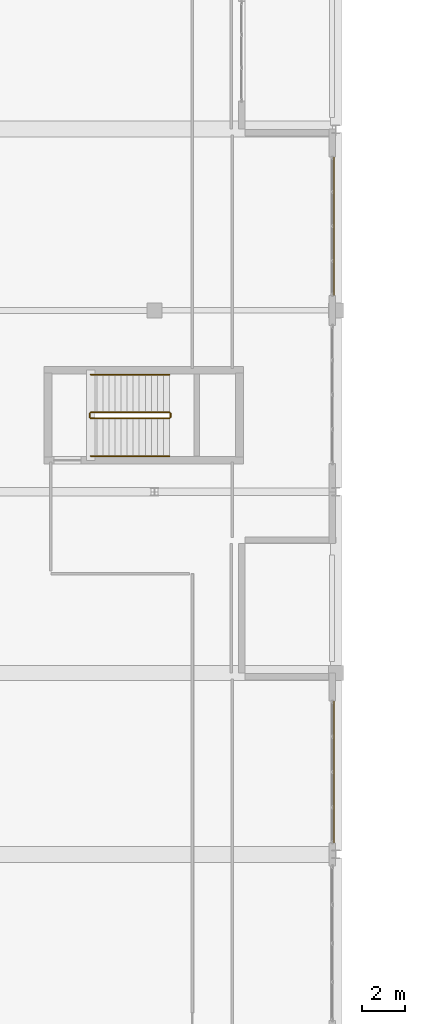
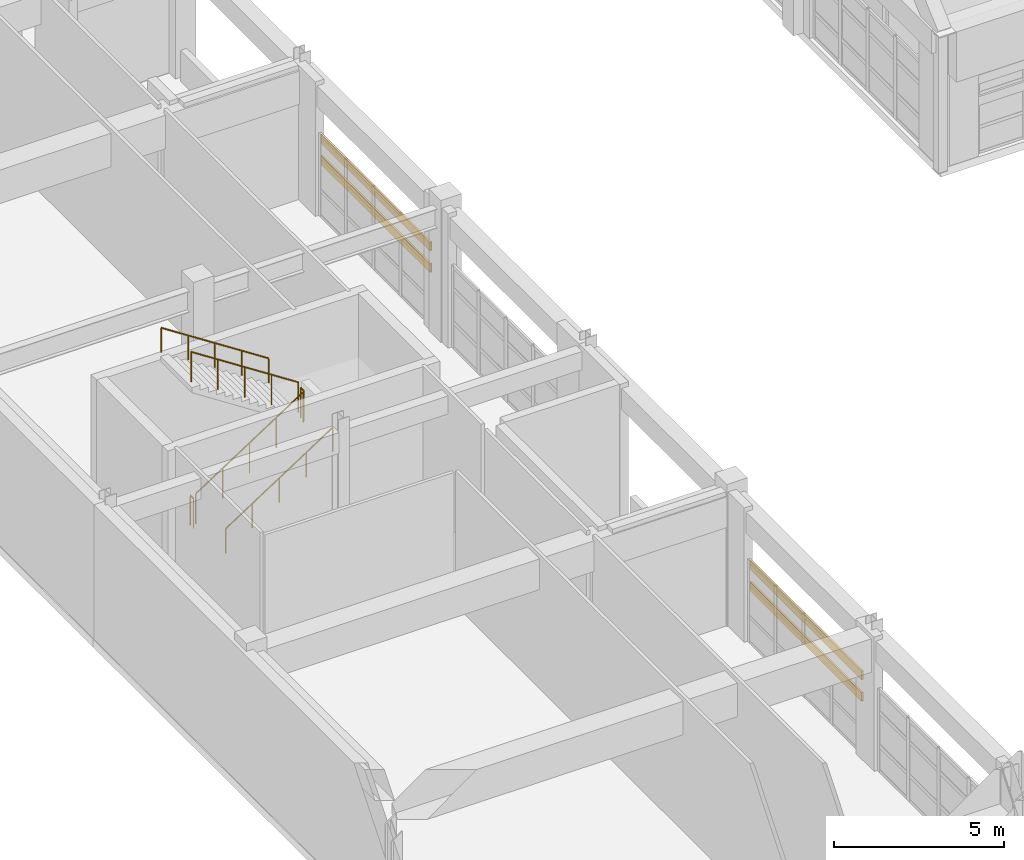
# One storey, part 95 of 103: 6 railings, 4 shading devices.
"""IFC4 building model written with IfcOpenShell, lengths in metres."""

import ifcopenshell
import ifcopenshell.guid

model = None  # the IFC model being written
_history = None  # IfcOwnerHistory: only IFC2X3 demands one
_inside = {}  # id of a spatial element -> (the spatial element, [elements in it])
_under = {}  # id of a project, library or spatial element -> (it, [spatial elements below it])
_declared = {}  # id of a project -> (the project, [libraries it declares])
_typed = {}  # id of a type object -> (the type object, [elements of that type])
_made_of = {}  # id of a material, layer set ... -> (it, [elements and type objects made of it])


def new_model(schema):
    """Start an empty IFC model of exactly this schema.

    Asked for "IFC4X3", IfcOpenShell would pick the latest addendum, in which some entities
    have other attributes; the version numbers below select the first issue.
    IFC2X3 requires an IfcOwnerHistory on every rooted entity: one is made here for all.
    """
    global model, _history
    if schema == "IFC4X3":
        model = ifcopenshell.file(schema_version=(4, 3, 0, 0))
    else:
        model = ifcopenshell.file(schema=schema)
    _inside.clear()
    _under.clear()
    _declared.clear()
    _typed.clear()
    _made_of.clear()
    _history = None
    if model.schema == "IFC2X3":
        org = make("IfcOrganization", Name="unknown")
        user = make(
            "IfcPersonAndOrganization",
            ThePerson=make("IfcPerson", FamilyName="unknown"),
            TheOrganization=org,
        )
        app = make(
            "IfcApplication",
            ApplicationDeveloper=org,
            Version="unknown",
            ApplicationFullName="unknown",
            ApplicationIdentifier="unknown",
        )
        _history = make(
            "IfcOwnerHistory",
            OwningUser=user,
            OwningApplication=app,
            ChangeAction="ADDED",
            CreationDate=0,
        )
    return model


def make(cls, **values):
    """One entity of the class cls with the attributes given. An attribute that is None is left unset."""
    return model.create_entity(
        cls, **{name: value for name, value in values.items() if value is not None}
    )


def rooted(cls, **values):
    """An entity with a GlobalId (a new one), such as an element, a storey or a relation."""
    return make(cls, GlobalId=ifcopenshell.guid.new(), OwnerHistory=_history, **values)


def si_unit(unit_type, name, prefix=None):
    """IfcSIUnit, for example si_unit("LENGTHUNIT", "METRE", prefix="MILLI")."""
    return make("IfcSIUnit", UnitType=unit_type, Prefix=prefix, Name=name)


def assignment(units):
    """IfcUnitAssignment: the units of a project."""
    return None if units is None else make("IfcUnitAssignment", Units=units)


def point(xyz):
    """IfcCartesianPoint."""
    return None if xyz is None else make("IfcCartesianPoint", Coordinates=xyz)


def direction(xyz):
    """IfcDirection."""
    return None if xyz is None else make("IfcDirection", DirectionRatios=xyz)


def frame(location, z_axis=None, x_axis=None):
    """IfcAxis2Placement3D, a coordinate frame: its origin and axes. An axis left out is left unset."""
    return make(
        "IfcAxis2Placement3D",
        Location=point(location),
        Axis=direction(z_axis),
        RefDirection=direction(x_axis),
    )


def frame_2d(location, x_axis=None):
    """IfcAxis2Placement2D, a coordinate frame in the plane: its origin and x axis."""
    return make(
        "IfcAxis2Placement2D", Location=point(location), RefDirection=direction(x_axis)
    )


def origin():
    """The frame at (0, 0, 0) with its axes left unset."""
    return frame((0.0, 0.0, 0.0))


def origin_2d():
    """The frame at (0, 0) in the plane with its x axis left unset."""
    return frame_2d((0.0, 0.0))


def place(relative_to, where):
    """IfcLocalPlacement: puts the frame where relative to a parent placement (None: the world)."""
    return make(
        "IfcLocalPlacement", PlacementRelTo=relative_to, RelativePlacement=where
    )


def context(
    kind, dimensions, precision=None, world=None, true_north=None, identifier=None
):
    """IfcGeometricRepresentationContext, for example the 3D "Model" context."""
    return make(
        "IfcGeometricRepresentationContext",
        ContextIdentifier=identifier,
        ContextType=kind,
        CoordinateSpaceDimension=dimensions,
        Precision=precision,
        WorldCoordinateSystem=world,
        TrueNorth=true_north,
    )


def subcontext(parent, identifier, kind, view, scale=None):
    """IfcGeometricRepresentationSubContext, for example "Body" below "Model"."""
    return make(
        "IfcGeometricRepresentationSubContext",
        ContextIdentifier=identifier,
        ContextType=kind,
        ParentContext=parent,
        TargetScale=scale,
        TargetView=view,
    )


def project(units=None, contexts=None):
    """IfcProject with its units and contexts."""
    return rooted(
        "IfcProject",
        Name="project",
        RepresentationContexts=contexts,
        UnitsInContext=assignment(units),
    )


def spatial(cls, under=None, at=None, **own):
    """A site, building, storey or space (cls), placed at a placement, below another one or the project."""
    s = rooted(cls, ObjectPlacement=at, **own)
    if under is not None:
        _under.setdefault(under.id(), (under, []))[1].append(s)
    return s


def profile(cls, at=None, kind="AREA", **sizes):
    """A parametric profile (cls). Its sizes go by their IFC names, for example OverallWidth=200.0."""
    return make(cls, ProfileType=kind, Position=at, **sizes)


def hollow_rectangle(**sizes):
    """IfcRectangleHollowProfileDef."""
    return profile("IfcRectangleHollowProfileDef", **sizes)


def circle(**sizes):
    """IfcCircleProfileDef."""
    return profile("IfcCircleProfileDef", **sizes)


def extrude(swept, where, along, depth):
    """IfcExtrudedAreaSolid: the profile swept, set in the frame where, extruded along a direction by depth."""
    return make(
        "IfcExtrudedAreaSolid",
        SweptArea=swept,
        Position=where,
        ExtrudedDirection=direction(along),
        Depth=depth,
    )


def shape(context_of_items, identifier, shape_type, items):
    """IfcShapeRepresentation: the items that make up one representation, for example the "Body"."""
    return make(
        "IfcShapeRepresentation",
        ContextOfItems=context_of_items,
        RepresentationIdentifier=identifier,
        RepresentationType=shape_type,
        Items=items,
    )


def material(Name=None, Category=None):
    """IfcMaterial."""
    return make("IfcMaterial", Name=Name, Category=Category)


def material_profile(
    of_material, cross_section, Name=None, Category=None, Priority=None
):
    """IfcMaterialProfile: a cross section and its material."""
    return make(
        "IfcMaterialProfile",
        Name=Name,
        Material=of_material,
        Profile=cross_section,
        Priority=Priority,
        Category=Category,
    )


def profile_set(profiles, Name=None, composite=None):
    """IfcMaterialProfileSet."""
    return make(
        "IfcMaterialProfileSet",
        Name=Name,
        MaterialProfiles=profiles,
        CompositeProfile=composite,
    )


def made_of(thing, what):
    """Note that an element or type object is made of a material, layer set ...; save() writes the relation."""
    if what is not None:
        _made_of.setdefault(what.id(), (what, []))[1].append(thing)
    return thing


def type_object(cls, material=None, **own):
    """A type object (cls), such as IfcWallType, which elements share."""
    return made_of(rooted(cls, **own), material)


def element(
    cls,
    number,
    at=None,
    inside=None,
    cuts=None,
    type_object=None,
    material=None,
    context=None,
    identifier="Body",
    shape_type=None,
    held_by="IfcProductDefinitionShape",
    body=None,
    shapes=None,
    **own,
):
    """One element of the class cls, such as IfcWall. Its Tag is "e" and its number.

    at: its placement. inside: the storey or other place that contains it. cuts: it is an
    opening in that element (IfcRelVoidsElement). A single representation is given by context,
    identifier, shape_type and body (its items); several are given by shapes. held_by: the class
    of the entity that holds the representations. save() writes the other relations.
    """
    e = rooted(cls, Tag="e%d" % number, ObjectPlacement=at, **own)
    if body is not None:
        shapes = [shape(context, identifier, shape_type, body)]
    if shapes is not None:
        e.Representation = make(held_by, Representations=shapes)
    if inside is not None:
        _inside.setdefault(inside.id(), (inside, []))[1].append(e)
    if cuts is not None:
        rooted(
            "IfcRelVoidsElement", RelatingBuildingElement=cuts, RelatedOpeningElement=e
        )
    if type_object is not None:
        _typed.setdefault(type_object.id(), (type_object, []))[1].append(e)
    return made_of(e, material)


def aggregate(whole, parts):
    """IfcRelAggregates: a whole, such as a stair, and the parts it consists of."""
    return rooted("IfcRelAggregates", RelatingObject=whole, RelatedObjects=parts)


def save(model, path):
    """Write the relations noted so far, then the file.

    IfcRelAggregates (storeys below a building ...), IfcRelContainedInSpatialStructure (elements
    in a storey), IfcRelDefinesByType, IfcRelAssociatesMaterial and IfcRelDeclares: one each for
    every whole, place, type object, material and project.
    """
    for whole, parts in _under.values():
        aggregate(whole, parts)
    for where, things in _inside.values():
        rooted(
            "IfcRelContainedInSpatialStructure",
            RelatedElements=things,
            RelatingStructure=where,
        )
    for kind, things in _typed.values():
        rooted("IfcRelDefinesByType", RelatedObjects=things, RelatingType=kind)
    for what, things in _made_of.values():
        rooted("IfcRelAssociatesMaterial", RelatedObjects=things, RelatingMaterial=what)
    for by, libraries in _declared.values():
        rooted("IfcRelDeclares", RelatingContext=by, RelatedDefinitions=libraries)
    model.write(path)


model = new_model("IFC4")

# Units and contexts
model_context = context("Model", 3, precision=1e-05, world=origin(), true_north=direction((0.0, 1.0)))
body_context = subcontext(model_context, "Body", "Model", "MODEL_VIEW")
ifc_project = project(units=[si_unit("LENGTHUNIT", "METRE"), si_unit("AREAUNIT", "SQUARE_METRE"), si_unit("VOLUMEUNIT", "CUBIC_METRE"), si_unit("PLANEANGLEUNIT", "RADIAN"), si_unit("MASSUNIT", "GRAM", prefix="KILO")], contexts=[model_context])

# Site, building, storey
site_placement = place(None, origin())
site = spatial("IfcSite", under=ifc_project, at=site_placement, CompositionType="ELEMENT")
building_placement = place(site_placement, origin())
building = spatial("IfcBuilding", under=site, at=building_placement, Name="Quendrovan Civic Courthouse", CompositionType="ELEMENT")
storey_placement = place(building_placement, frame((0.0, 0.0, 15.300048828125)))
storey = spatial("IfcBuildingStorey", under=building, at=storey_placement, Name="L04", CompositionType="ELEMENT", Elevation=15.300048828125)

# Railings
ifc_material_1 = material(Name="Painted galvanized steel", Category="steel")
railing_type_1 = type_object("IfcRailingType", Name="RL-STR-GUARD1100", PredefinedType="GUARDRAIL", material=ifc_material_1)
railing_1_placement = place(storey_placement, frame((5.449951171875, 59.800048828125, 0.18212890625)))
element("IfcRailing", 1, at=railing_1_placement, inside=storey, type_object=railing_type_1, Name="L04 ST4 stair guard 1", PredefinedType="GUARDRAIL", context=body_context, shape_type="SweptSolid", body=[
    extrude(circle(Radius=0.02392578125, at=origin_2d()), frame((0.0, 0.0, 1.076171875), z_axis=(0.83825089185, 0.0, 0.545284735081), x_axis=(0.0, 1.0, 0.0)), (0.0, 0.0, 1.0), 4.342529296875),
    extrude(circle(Radius=0.02099609375, at=origin_2d()), origin(), (0.0, 0.0, 1.0), 1.052001953125),
    extrude(circle(Radius=0.02099609375, at=origin_2d()), frame((0.91015625, 0.0, 0.592041015625)), (0.0, 0.0, 1.0), 1.052001953125),
    extrude(circle(Radius=0.02099609375, at=origin_2d()), frame((1.820068359375, 0.0, 1.18408203125)), (0.0, 0.0, 1.0), 1.052001953125),
    extrude(circle(Radius=0.02099609375, at=origin_2d()), frame((2.72998046875, 0.0, 1.77587890625)), (0.0, 0.0, 1.0), 1.052001953125),
    extrude(circle(Radius=0.02099609375, at=origin_2d()), frame((3.64013671875, 0.0, 2.367919921875)), (0.0, 0.0, 1.0), 1.052001953125),
])
railing_2_placement = place(storey_placement, frame((9.139892578125, 59.85009765625, 2.550048828125)))
element("IfcRailing", 2, at=railing_2_placement, inside=storey, type_object=railing_type_1, Name="L04 ST4 stair guard 2", PredefinedType="GUARDRAIL", context=body_context, shape_type="SweptSolid", body=[
    extrude(circle(Radius=0.02392578125, at=origin_2d()), frame((0.0, 0.0, 1.076171875), z_axis=(0.0, 1.0, 0.0), x_axis=(-1.0, 0.0, 0.0)), (0.0, 0.0, 1.0), 0.179931640625),
    extrude(circle(Radius=0.02099609375, at=origin_2d()), origin(), (0.0, 0.0, 1.0), 1.052001953125),
    extrude(circle(Radius=0.02099609375, at=origin_2d()), frame((0.0, 0.179931640625, 0.0)), (0.0, 0.0, 1.0), 1.052001953125),
])
railing_3_placement = place(storey_placement, frame((9.090087890625, 60.080078125, 2.732177734375)))
element("IfcRailing", 3, at=railing_3_placement, inside=storey, type_object=railing_type_1, Name="L04 ST4 stair guard 3", PredefinedType="GUARDRAIL", context=body_context, shape_type="SweptSolid", body=[
    extrude(circle(Radius=0.02392578125, at=origin_2d()), frame((0.0, 0.0, 1.076171875), z_axis=(-0.838276589377, 0.0, 0.545245228959), x_axis=(0.0, -1.0, 0.0)), (0.0, 0.0, 1.0), 4.34228515625),
    extrude(circle(Radius=0.02099609375, at=origin_2d()), origin(), (0.0, 0.0, 1.0), 1.052001953125),
    extrude(circle(Radius=0.02099609375, at=origin_2d()), frame((-0.91015625, 0.0, 0.591796875)), (0.0, 0.0, 1.0), 1.052001953125),
    extrude(circle(Radius=0.02099609375, at=origin_2d()), frame((-1.820068359375, 0.0, 1.183837890625)), (0.0, 0.0, 1.0), 1.052001953125),
    extrude(circle(Radius=0.02099609375, at=origin_2d()), frame((-2.72998046875, 0.0, 1.77587890625)), (0.0, 0.0, 1.0), 1.052001953125),
    extrude(circle(Radius=0.02099609375, at=origin_2d()), frame((-3.64013671875, 0.0, 2.36767578125)), (0.0, 0.0, 1.0), 1.052001953125),
])
railing_4_placement = place(storey_placement, frame((5.39990234375, 59.85009765625, 0.0)))
element("IfcRailing", 4, at=railing_4_placement, inside=storey, type_object=railing_type_1, Name="L04 ST4 stair guard 4", PredefinedType="GUARDRAIL", context=body_context, shape_type="SweptSolid", body=[
    extrude(circle(Radius=0.02392578125, at=origin_2d()), frame((0.0, 0.0, 1.076171875), z_axis=(0.0, 1.0, 0.0), x_axis=(-1.0, 0.0, 0.0)), (0.0, 0.0, 1.0), 0.179931640625),
    extrude(circle(Radius=0.02099609375, at=origin_2d()), origin(), (0.0, 0.0, 1.0), 1.052001953125),
    extrude(circle(Radius=0.02099609375, at=origin_2d()), frame((0.0, 0.179931640625, 0.0)), (0.0, 0.0, 1.0), 1.052001953125),
])
ifc_material_2 = material(Name="Bronze anodised aluminium", Category="aluminium")
railing_type_2 = type_object("IfcRailingType", Name="RL-STR-HAND900", PredefinedType="HANDRAIL", material=ifc_material_2)
railing_5_placement = place(storey_placement, frame((5.449951171875, 58.050048828125, 0.18212890625)))
element("IfcRailing", 5, at=railing_5_placement, inside=storey, type_object=railing_type_2, Name="L04 ST4 stair handrail 1", PredefinedType="HANDRAIL", context=body_context, shape_type="SweptSolid", body=[
    extrude(circle(Radius=0.02392578125, at=origin_2d()), frame((0.0, 0.0, 0.8759765625), z_axis=(0.83825089185, 0.0, 0.545284735081), x_axis=(0.0, 1.0, 0.0)), (0.0, 0.0, 1.0), 4.342529296875),
    extrude(circle(Radius=0.02099609375, at=origin_2d()), origin(), (0.0, 0.0, 1.0), 0.851806640625),
    extrude(circle(Radius=0.02099609375, at=origin_2d()), frame((0.91015625, 0.0, 0.592041015625)), (0.0, 0.0, 1.0), 0.851806640625),
    extrude(circle(Radius=0.02099609375, at=origin_2d()), frame((1.820068359375, 0.0, 1.18408203125)), (0.0, 0.0, 1.0), 0.851806640625),
    extrude(circle(Radius=0.02099609375, at=origin_2d()), frame((2.72998046875, 0.0, 1.77587890625)), (0.0, 0.0, 1.0), 0.851806640625),
    extrude(circle(Radius=0.02099609375, at=origin_2d()), frame((3.64013671875, 0.0, 2.367919921875)), (0.0, 0.0, 1.0), 0.851806640625),
])
railing_6_placement = place(storey_placement, frame((9.090087890625, 61.830078125, 2.732177734375)))
element("IfcRailing", 6, at=railing_6_placement, inside=storey, type_object=railing_type_2, Name="L04 ST4 stair handrail 2", PredefinedType="HANDRAIL", context=body_context, shape_type="SweptSolid", body=[
    extrude(circle(Radius=0.02392578125, at=origin_2d()), frame((0.0, 0.0, 0.8759765625), z_axis=(-0.838276589377, 0.0, 0.545245228959), x_axis=(0.0, -1.0, 0.0)), (0.0, 0.0, 1.0), 4.34228515625),
    extrude(circle(Radius=0.02099609375, at=origin_2d()), origin(), (0.0, 0.0, 1.0), 0.851806640625),
    extrude(circle(Radius=0.02099609375, at=origin_2d()), frame((-0.91015625, 0.0, 0.591796875)), (0.0, 0.0, 1.0), 0.851806640625),
    extrude(circle(Radius=0.02099609375, at=origin_2d()), frame((-1.820068359375, 0.0, 1.183837890625)), (0.0, 0.0, 1.0), 0.851806640625),
    extrude(circle(Radius=0.02099609375, at=origin_2d()), frame((-2.72998046875, 0.0, 1.77587890625)), (0.0, 0.0, 1.0), 0.851806640625),
    extrude(circle(Radius=0.02099609375, at=origin_2d()), frame((-3.64013671875, 0.0, 2.36767578125)), (0.0, 0.0, 1.0), 0.851806640625),
])

# Shading devices
ifc_material_profile = material_profile(ifc_material_2, hollow_rectangle(XDim=0.06494140625, YDim=0.320068359375, WallThickness=0.0048828125, at=origin_2d()), Name="AL-LOUVRE-65x320")
ifc_profile_set = profile_set([ifc_material_profile], Name="Bronze anodised aluminium")
shading_device_type = type_object("IfcShadingDeviceType", Name="SHD-STORM-LOUVRE", PredefinedType="JALOUSIE", material=ifc_profile_set)
for number, where, z_axis, x_axis, name in (
    (7, (16.715087890625, 71.89990234375, 1.949951171875), (0.0, -1.0, 0.0), (1.0, 0.0, 0.0), "L04 Bronze Hurricane Storm Louvre SLV-149"),
    (8, (16.715087890625, 71.89990234375, 2.719970703125), (0.0, -1.0, 0.0), (1.0, 0.0, 0.0), "L04 Bronze Hurricane Storm Louvre SLV-150"),
):
    element("IfcShadingDevice", number, at=place(storey_placement, frame(where, z_axis=z_axis, x_axis=x_axis)), inside=storey, type_object=shading_device_type, Name=name, PredefinedType="JALOUSIE", context=body_context, shape_type="SweptSolid", body=[
        extrude(hollow_rectangle(XDim=0.06494140625, YDim=0.320068359375, WallThickness=0.0048828125, at=origin_2d()), origin(), (0.0, 0.0, 1.0), 6.39990234375),
    ])
for number, where, z_axis, x_axis, name in (
    (9, (16.715087890625, 46.699951171875, 1.949951171875), (0.0, -1.0, 0.0), (1.0, 0.0, 0.0), "L04 Bronze Hurricane Storm Louvre SLV-151"),
    (10, (16.715087890625, 46.699951171875, 2.719970703125), (0.0, -1.0, 0.0), (1.0, 0.0, 0.0), "L04 Bronze Hurricane Storm Louvre SLV-152"),
):
    element("IfcShadingDevice", number, at=place(storey_placement, frame(where, z_axis=z_axis, x_axis=x_axis)), inside=storey, type_object=shading_device_type, Name=name, PredefinedType="JALOUSIE", context=body_context, shape_type="SweptSolid", body=[
        extrude(hollow_rectangle(XDim=0.06494140625, YDim=0.320068359375, WallThickness=0.0048828125, at=origin_2d()), origin(), (0.0, 0.0, 1.0), 6.56298828125),
    ])

save(model, "model.ifc")
